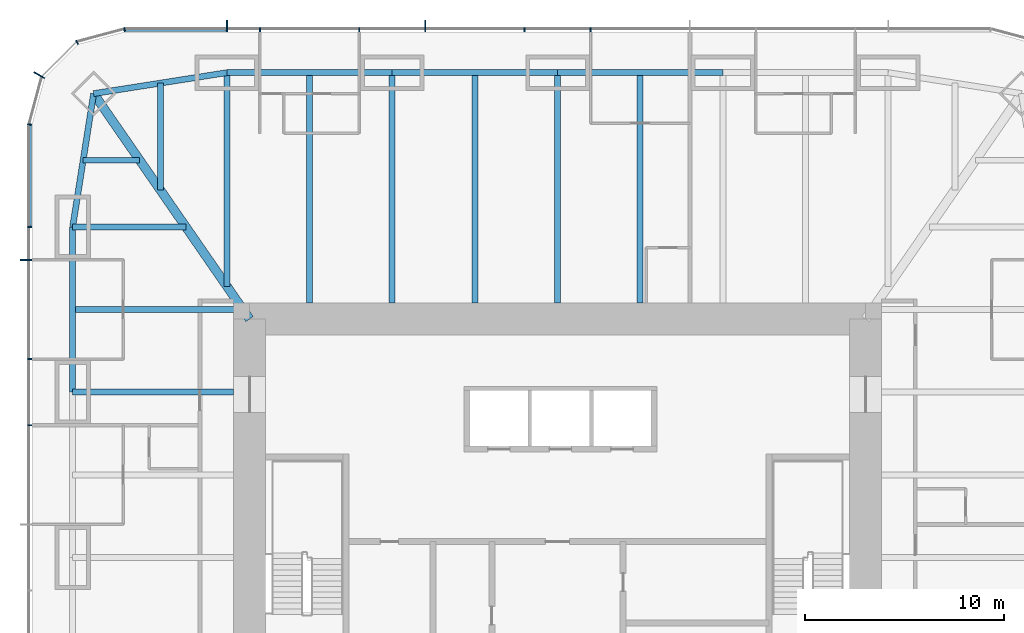
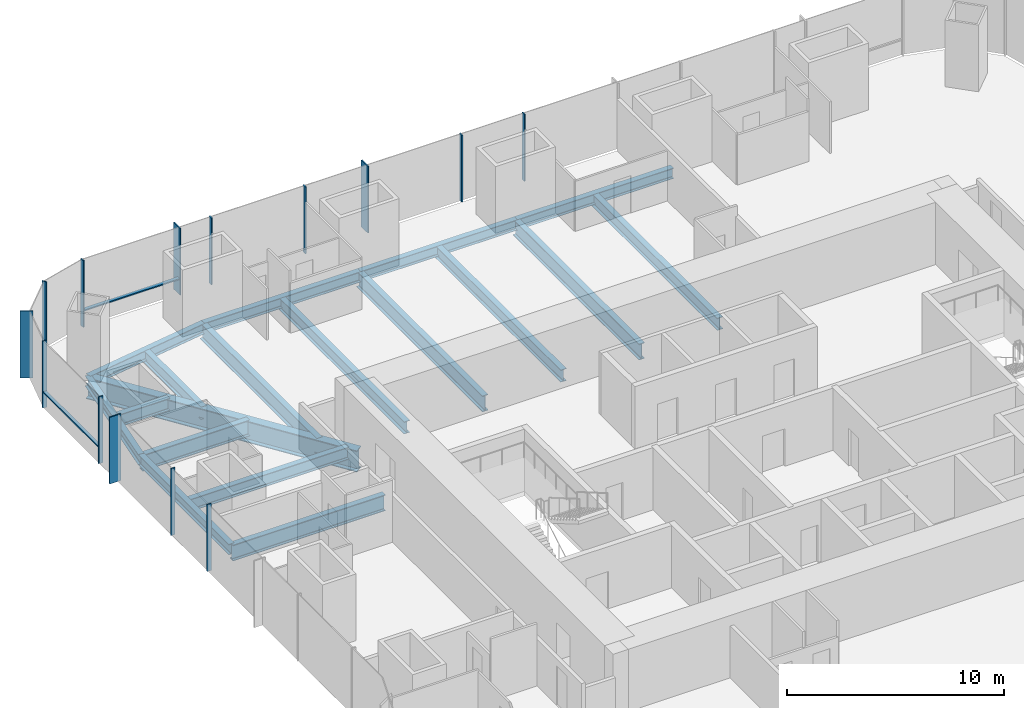
# One storey, part 5 of 12: 18 beams, 16 members, 3 elements without a shape of their own.
"""IFC4 building model written with IfcOpenShell, lengths in metres."""

from ifc_helpers import new_model, si_unit, direction, frame, origin, origin_2d, place, context, subcontext, project, spatial, rectangle, i_section, extrude, material, material_profile, profile_set, type_object, element, aggregate, save


model = new_model("IFC4")

# Units and contexts
model_context = context("Model", 3, precision=1e-05, world=origin(), true_north=direction((0.0, 1.0)))
body_context = subcontext(model_context, "Body", "Model", "MODEL_VIEW")
ifc_project = project(units=[si_unit("LENGTHUNIT", "METRE"), si_unit("AREAUNIT", "SQUARE_METRE"), si_unit("VOLUMEUNIT", "CUBIC_METRE"), si_unit("PLANEANGLEUNIT", "RADIAN"), si_unit("MASSUNIT", "GRAM", prefix="KILO")], contexts=[model_context])

# Site, building, storey
site_placement = place(None, origin())
site = spatial("IfcSite", under=ifc_project, at=site_placement, CompositionType="ELEMENT")
building_placement = place(site_placement, origin())
building = spatial("IfcBuilding", under=site, at=building_placement, Name="Khuree Lantern Residences", CompositionType="ELEMENT")
storey_placement = place(building_placement, frame((0.0, 0.0, 207.0)))
storey = spatial("IfcBuildingStorey", under=building, at=storey_placement, Name="L51", CompositionType="ELEMENT", Elevation=207.0)

# Beams
ifc_material_1 = material(Name="Steel S355", Category="steel")
ifc_material_profile_1 = material_profile(ifc_material_1, i_section(OverallWidth=0.300048828125, OverallDepth=0.68994140625, WebThickness=0.014404296875, FlangeThickness=0.027099609375, FilletRadius=0.027099609375, at=origin_2d()), Name="HE 700 A")
ifc_profile_set_1 = profile_set([ifc_material_profile_1], Name="Steel S355")
beam_type_1 = type_object("IfcBeamType", Name="B-31 SECONDARY BEAM HE 700 A", PredefinedType="BEAM", material=ifc_profile_set_1)
for number, where, z_axis, x_axis, name in (
    (1, (-12.47998046875, 24.39990234375, -0.594970703125), (0.0, -1.0, 0.0), (1.0, 0.0, 0.0), "Secondary beam N1"),
    (2, (-4.159912109375, 24.39990234375, -0.594970703125), (0.0, -1.0, 0.0), (1.0, 0.0, 0.0), "Secondary beam N2"),
    (3, (4.159912109375, 24.39990234375, -0.594970703125), (0.0, -1.0, 0.0), (1.0, 0.0, 0.0), "Secondary beam N3"),
):
    element("IfcBeam", number, at=place(storey_placement, frame(where, z_axis=z_axis, x_axis=x_axis)), inside=storey, type_object=beam_type_1, Name=name, PredefinedType="BEAM", context=body_context, shape_type="SweptSolid", body=[
        extrude(i_section(OverallWidth=0.300048828125, OverallDepth=0.68994140625, WebThickness=0.014404296875, FlangeThickness=0.027099609375, FilletRadius=0.027099609375, at=origin_2d()), origin(), (0.0, 0.0, 1.0), 11.599853515625),
    ])
beam_1_placement = place(storey_placement, frame((-24.39990234375, 12.47998046875, -0.594970703125), z_axis=(1.0, 0.0, 0.0), x_axis=(0.0, 1.0, 0.0)))
element("IfcBeam", 4, at=beam_1_placement, inside=storey, type_object=beam_type_1, Name="Secondary beam W5", PredefinedType="BEAM", context=body_context, shape_type="SweptSolid", body=[
    extrude(i_section(OverallWidth=0.300048828125, OverallDepth=0.68994140625, WebThickness=0.014404296875, FlangeThickness=0.027099609375, FilletRadius=0.027099609375, at=origin_2d()), origin(), (0.0, 0.0, 1.0), 8.56787109375),
])
beam_2_placement = place(storey_placement, frame((-23.872802734375, 19.992919921875, -0.594970703125), z_axis=(1.0, 0.0, 0.0), x_axis=(0.0, 1.0, 0.0)))
element("IfcBeam", 5, at=beam_2_placement, inside=storey, type_object=beam_type_1, Name="Secondary beam W6", PredefinedType="BEAM", context=body_context, shape_type="SweptSolid", body=[
    extrude(i_section(OverallWidth=0.300048828125, OverallDepth=0.68994140625, WebThickness=0.014404296875, FlangeThickness=0.027099609375, FilletRadius=0.027099609375, at=origin_2d()), origin(), (0.0, 0.0, 1.0), 2.845703125),
])
beam_3_placement = place(storey_placement, frame((-19.992919921875, 23.872802734375, -0.594970703125), z_axis=(0.0, -1.0, 0.0), x_axis=(1.0, 0.0, 0.0)))
element("IfcBeam", 6, at=beam_3_placement, inside=storey, type_object=beam_type_1, Name="Secondary beam N6", PredefinedType="BEAM", context=body_context, shape_type="SweptSolid", body=[
    extrude(i_section(OverallWidth=0.300048828125, OverallDepth=0.68994140625, WebThickness=0.014404296875, FlangeThickness=0.027099609375, FilletRadius=0.027099609375, at=origin_2d()), origin(), (0.0, 0.0, 1.0), 5.375732421875),
])
ifc_material_profile_2 = material_profile(ifc_material_1, i_section(OverallWidth=0.300048828125, OverallDepth=0.590087890625, WebThickness=0.012939453125, FlangeThickness=0.02490234375, FilletRadius=0.027099609375, at=origin_2d()), Name="HE 600 A")
ifc_profile_set_2 = profile_set([ifc_material_profile_2], Name="Steel S355")
beam_type_2 = type_object("IfcBeamType", Name="E-31 SPANDREL BEAM HE 600 A", PredefinedType="SPANDREL", material=ifc_profile_set_2)
beam_4_placement = place(storey_placement, frame((-16.639892578125, 24.39990234375, -0.544921875), z_axis=(1.0, 0.0, 0.0), x_axis=(0.0, 1.0, 0.0)))
element("IfcBeam", 7, at=beam_4_placement, inside=storey, type_object=beam_type_2, Name="Spandrel beam N1", PredefinedType="SPANDREL", context=body_context, shape_type="SweptSolid", body=[
    extrude(i_section(OverallWidth=0.300048828125, OverallDepth=0.590087890625, WebThickness=0.012939453125, FlangeThickness=0.02490234375, FilletRadius=0.027099609375, at=origin_2d()), origin(), (0.0, 0.0, 1.0), 8.31982421875),
])
for number, where, z_axis, x_axis, name in (
    (8, (-8.320068359375, 24.39990234375, -0.544921875), (1.0, 0.0, 0.0), (0.0, 1.0, 0.0), "Spandrel beam N2"),
    (9, (0.0, 24.39990234375, -0.544921875), (1.0, 0.0, 0.0), (0.0, 1.0, 0.0), "Spandrel beam N3"),
):
    element("IfcBeam", number, at=place(storey_placement, frame(where, z_axis=z_axis, x_axis=x_axis)), inside=storey, type_object=beam_type_2, Name=name, PredefinedType="SPANDREL", context=body_context, shape_type="SweptSolid", body=[
        extrude(i_section(OverallWidth=0.300048828125, OverallDepth=0.590087890625, WebThickness=0.012939453125, FlangeThickness=0.02490234375, FilletRadius=0.027099609375, at=origin_2d()), origin(), (0.0, 0.0, 1.0), 8.320068359375),
    ])
beam_5_placement = place(storey_placement, frame((-24.39990234375, 8.320068359375, -0.544921875), z_axis=(0.0, 1.0, 0.0), x_axis=(-1.0, 0.0, 0.0)))
element("IfcBeam", 10, at=beam_5_placement, inside=storey, type_object=beam_type_2, Name="Spandrel beam W5", PredefinedType="SPANDREL", context=body_context, shape_type="SweptSolid", body=[
    extrude(i_section(OverallWidth=0.300048828125, OverallDepth=0.590087890625, WebThickness=0.012939453125, FlangeThickness=0.02490234375, FilletRadius=0.027099609375, at=origin_2d()), origin(), (0.0, 0.0, 1.0), 8.31982421875),
])
for number, where, z_axis, x_axis, name in (
    (11, (-24.39990234375, 16.639892578125, -0.544921875), (0.155299507442, 0.98786743189, 0.0), (-0.98786743189, 0.155299507442, 0.0), "Spandrel beam W6"),
    (12, (-23.345703125, 23.345703125, -0.544921875), (0.98786743189, 0.155299507442, 0.0), (-0.155299507442, 0.98786743189, 0.0), "Spandrel beam N6"),
):
    element("IfcBeam", number, at=place(storey_placement, frame(where, z_axis=z_axis, x_axis=x_axis)), inside=storey, type_object=beam_type_2, Name=name, PredefinedType="SPANDREL", context=body_context, shape_type="SweptSolid", body=[
        extrude(i_section(OverallWidth=0.300048828125, OverallDepth=0.590087890625, WebThickness=0.012939453125, FlangeThickness=0.02490234375, FilletRadius=0.027099609375, at=origin_2d()), origin(), (0.0, 0.0, 1.0), 6.7880859375),
    ])

# Curtain wall, members
ifc_material_2 = material(Name="Bronze anodised aluminium", Category="aluminium")
curtain_wall_type_1 = type_object("IfcCurtainWallType", Name="CW-T1 TOWER FACE CURTAIN WALL", PredefinedType="USERDEFINED", material=ifc_material_2)
curtain_wall_1_placement = place(storey_placement, origin())
curtain_wall_1 = element("IfcCurtainWall", 13, at=curtain_wall_1_placement, inside=storey, type_object=curtain_wall_type_1, Name="L51 NORTH FACE CURTAIN WALL", ObjectType="Stick-built curtain wall", PredefinedType="USERDEFINED")
ifc_material_profile_3 = material_profile(ifc_material_2, rectangle(XDim=0.06494140625, YDim=0.60009765625, at=origin_2d()), Name="F1 65X600")
ifc_profile_set_3 = profile_set([ifc_material_profile_3], Name="Bronze anodised aluminium")
member_type_1 = type_object("IfcMemberType", Name="F1 BRONZE FIN MULLION TOWER 65X600", PredefinedType="MULLION", material=ifc_profile_set_3)
member_1_placement = place(storey_placement, frame((-6.656005859375, 26.75, 0.0), z_axis=(0.0, 0.0, 1.0), x_axis=(-1.0, 0.0, 0.0)))
member_1 = element("IfcMember", 14, at=member_1_placement, type_object=member_type_1, Name="L51 NORTH FACE FIN MULLION 25", PredefinedType="MULLION", context=body_context, shape_type="SweptSolid", body=[
    extrude(rectangle(XDim=0.06494140625, YDim=0.60009765625, at=origin_2d()), origin(), (0.0, 0.0, 1.0), 3.75),
])
member_2_placement = place(storey_placement, frame((-16.639892578125, 26.75, 0.0), z_axis=(0.0, 0.0, 1.0), x_axis=(-1.0, 0.0, 0.0)))
member_2 = element("IfcMember", 15, at=member_2_placement, type_object=member_type_1, Name="L51 NORTH FACE FIN MULLION 28", PredefinedType="MULLION", context=body_context, shape_type="SweptSolid", body=[
    extrude(rectangle(XDim=0.06494140625, YDim=0.60009765625, at=origin_2d()), origin(), (0.0, 0.0, 1.0), 3.75),
])

# Curtain wall, member
curtain_wall_type_2 = type_object("IfcCurtainWallType", Name="CW-T2 TOWER CORNER CURTAIN WALL", PredefinedType="USERDEFINED", material=ifc_material_2)
curtain_wall_2_placement = place(storey_placement, origin())
curtain_wall_2 = element("IfcCurtainWall", 16, at=curtain_wall_2_placement, inside=storey, type_object=curtain_wall_type_2, Name="L51 NORTH-WEST CORNER CURTAIN WALL", ObjectType="Faceted corner curtain wall", PredefinedType="USERDEFINED")
member_3_placement = place(storey_placement, frame((-26.0869140625, 24.27490234375, 0.0), z_axis=(0.0, 0.0, 1.0), x_axis=(-0.499999989586, -0.866025409797, 0.0)))
member_3 = element("IfcMember", 17, at=member_3_placement, type_object=member_type_1, Name="L51 NORTH-WEST CORNER FIN MULLION 31", PredefinedType="MULLION", context=body_context, shape_type="SweptSolid", body=[
    extrude(rectangle(XDim=0.06494140625, YDim=0.60009765625, at=origin_2d()), origin(), (0.0, 0.0, 1.0), 3.75),
])

curtain_wall_3_placement = place(storey_placement, origin())
curtain_wall_3 = element("IfcCurtainWall", 18, at=curtain_wall_3_placement, inside=storey, type_object=curtain_wall_type_1, Name="L51 WEST FACE CURTAIN WALL", ObjectType="Stick-built curtain wall", PredefinedType="USERDEFINED")
member_4_placement = place(storey_placement, frame((-26.75, 14.97607421875, 0.0), z_axis=(0.0, 0.0, 1.0), x_axis=(0.0, -1.0, 0.0)))
member_4 = element("IfcMember", 19, at=member_4_placement, type_object=member_type_1, Name="L51 WEST FACE FIN MULLION 34", PredefinedType="MULLION", context=body_context, shape_type="SweptSolid", body=[
    extrude(rectangle(XDim=0.06494140625, YDim=0.60009765625, at=origin_2d()), origin(), (0.0, 0.0, 1.0), 3.75),
])

# Beams
ifc_material_profile_4 = material_profile(ifc_material_1, i_section(OverallWidth=0.300048828125, OverallDepth=0.89990234375, WebThickness=0.0185546875, FlangeThickness=0.034912109375, FilletRadius=0.030029296875, at=origin_2d()), Name="HE 900 B")
ifc_profile_set_4 = profile_set([ifc_material_profile_4], Name="Steel S355")
beam_type_3 = type_object("IfcBeamType", Name="G-31A GIRDER HE 900 B", PredefinedType="BEAM", material=ifc_profile_set_4)
beam_6_placement = place(storey_placement, frame((-16.639892578125, 24.39990234375, -0.699951171875), z_axis=(0.0, -1.0, 0.0), x_axis=(1.0, 0.0, 0.0)))
element("IfcBeam", 20, at=beam_6_placement, inside=storey, type_object=beam_type_3, Name="Girder N1", PredefinedType="BEAM", context=body_context, shape_type="SweptSolid", body=[
    extrude(i_section(OverallWidth=0.300048828125, OverallDepth=0.89990234375, WebThickness=0.0185546875, FlangeThickness=0.034912109375, FilletRadius=0.030029296875, at=origin_2d()), origin(), (0.0, 0.0, 1.0), 10.751220703125),
])
for number, where, z_axis, x_axis, name in (
    (21, (-8.320068359375, 24.39990234375, -0.699951171875), (0.0, -1.0, 0.0), (1.0, 0.0, 0.0), "Girder N2"),
    (22, (0.0, 24.39990234375, -0.699951171875), (0.0, -1.0, 0.0), (1.0, 0.0, 0.0), "Girder N3"),
):
    element("IfcBeam", number, at=place(storey_placement, frame(where, z_axis=z_axis, x_axis=x_axis)), inside=storey, type_object=beam_type_3, Name=name, PredefinedType="BEAM", context=body_context, shape_type="SweptSolid", body=[
        extrude(i_section(OverallWidth=0.300048828125, OverallDepth=0.89990234375, WebThickness=0.0185546875, FlangeThickness=0.034912109375, FilletRadius=0.030029296875, at=origin_2d()), origin(), (0.0, 0.0, 1.0), 11.599853515625),
    ])
beam_7_placement = place(storey_placement, frame((-24.39990234375, 8.320068359375, -0.699951171875), z_axis=(1.0, 0.0, 0.0), x_axis=(0.0, 1.0, 0.0)))
element("IfcBeam", 23, at=beam_7_placement, inside=storey, type_object=beam_type_3, Name="Girder W4", PredefinedType="BEAM", context=body_context, shape_type="SweptSolid", body=[
    extrude(i_section(OverallWidth=0.300048828125, OverallDepth=0.89990234375, WebThickness=0.0185546875, FlangeThickness=0.034912109375, FilletRadius=0.030029296875, at=origin_2d()), origin(), (0.0, 0.0, 1.0), 8.099853515625),
])
beam_8_placement = place(storey_placement, frame((-24.39990234375, 16.639892578125, -0.699951171875), z_axis=(1.0, 0.0, 0.0), x_axis=(0.0, 1.0, 0.0)))
element("IfcBeam", 24, at=beam_8_placement, inside=storey, type_object=beam_type_3, Name="Girder W5", PredefinedType="BEAM", context=body_context, shape_type="SweptSolid", body=[
    extrude(i_section(OverallWidth=0.300048828125, OverallDepth=0.89990234375, WebThickness=0.0185546875, FlangeThickness=0.034912109375, FilletRadius=0.030029296875, at=origin_2d()), origin(), (0.0, 0.0, 1.0), 5.69140625),
])
ifc_material_profile_5 = material_profile(ifc_material_1, i_section(OverallWidth=0.449951171875, OverallDepth=1.199951171875, WebThickness=0.02490234375, FlangeThickness=0.044921875, at=origin_2d()), Name="WELDED I 1200X450X25X45")
ifc_profile_set_5 = profile_set([ifc_material_profile_5], Name="Steel S355")
beam_type_4 = type_object("IfcBeamType", Name="GD-31 CORNER GIRDER WELDED I 1200X450X25X45", PredefinedType="BEAM", material=ifc_profile_set_5)
beam_9_placement = place(storey_placement, frame((-23.345703125, 23.345703125, -0.85009765625), z_axis=(0.56876813501, -0.822497907959, 0.0), x_axis=(0.822497907959, 0.56876813501, 0.0)))
element("IfcBeam", 25, at=beam_9_placement, inside=storey, type_object=beam_type_4, Name="Corner girder NW", PredefinedType="BEAM", context=body_context, shape_type="SweptSolid", body=[
    extrude(i_section(OverallWidth=0.449951171875, OverallDepth=1.199951171875, WebThickness=0.02490234375, FlangeThickness=0.044921875, at=origin_2d()), origin(), (0.0, 0.0, 1.0), 13.794189453125),
])

# Member
ifc_material_profile_6 = material_profile(ifc_material_2, rectangle(XDim=0.06494140625, YDim=0.219970703125, at=origin_2d()), Name="M1 65X220")
ifc_profile_set_6 = profile_set([ifc_material_profile_6], Name="Bronze anodised aluminium")
member_type_2 = type_object("IfcMemberType", Name="M1 BRONZE MULLION TOWER 65X220", PredefinedType="MULLION", material=ifc_profile_set_6)
member_5_placement = place(storey_placement, frame((1.6640625, 26.56005859375, 0.0), z_axis=(0.0, 0.0, 1.0), x_axis=(-1.0, 0.0, 0.0)))
member_5 = element("IfcMember", 26, at=member_5_placement, type_object=member_type_2, Name="L51 NORTH FACE MULLION 23", PredefinedType="MULLION", context=body_context, shape_type="SweptSolid", body=[
    extrude(rectangle(XDim=0.06494140625, YDim=0.219970703125, at=origin_2d()), origin(), (0.0, 0.0, 1.0), 3.75),
])

member_6_placement = place(storey_placement, frame((-1.6640625, 26.56005859375, 0.0), z_axis=(0.0, 0.0, 1.0), x_axis=(-1.0, 0.0, 0.0)))
member_6 = element("IfcMember", 27, at=member_6_placement, type_object=member_type_2, Name="L51 NORTH FACE MULLION 24", PredefinedType="MULLION", context=body_context, shape_type="SweptSolid", body=[
    extrude(rectangle(XDim=0.06494140625, YDim=0.219970703125, at=origin_2d()), origin(), (0.0, 0.0, 1.0), 3.75),
])

member_7_placement = place(storey_placement, frame((-9.98388671875, 26.56005859375, 0.0), z_axis=(0.0, 0.0, 1.0), x_axis=(-1.0, 0.0, 0.0)))
member_7 = element("IfcMember", 28, at=member_7_placement, type_object=member_type_2, Name="L51 NORTH FACE MULLION 26", PredefinedType="MULLION", context=body_context, shape_type="SweptSolid", body=[
    extrude(rectangle(XDim=0.06494140625, YDim=0.219970703125, at=origin_2d()), origin(), (0.0, 0.0, 1.0), 3.75),
])

member_8_placement = place(storey_placement, frame((-14.97607421875, 26.56005859375, 0.0), z_axis=(0.0, 0.0, 1.0), x_axis=(-1.0, 0.0, 0.0)))
member_8 = element("IfcMember", 29, at=member_8_placement, type_object=member_type_2, Name="L51 NORTH FACE MULLION 27", PredefinedType="MULLION", context=body_context, shape_type="SweptSolid", body=[
    extrude(rectangle(XDim=0.06494140625, YDim=0.219970703125, at=origin_2d()), origin(), (0.0, 0.0, 1.0), 3.75),
])

member_9_placement = place(storey_placement, frame((-21.794921875, 26.561767578125, 0.0), z_axis=(0.0, 0.0, 1.0), x_axis=(-0.991444862943, -0.130526180298, 0.0)))
member_9 = element("IfcMember", 30, at=member_9_placement, type_object=member_type_2, Name="L51 NORTH-WEST CORNER MULLION 29", PredefinedType="MULLION", context=body_context, shape_type="SweptSolid", body=[
    extrude(rectangle(XDim=0.06494140625, YDim=0.219970703125, at=origin_2d()), origin(), (0.0, 0.0, 1.0), 3.75),
])

member_10_placement = place(storey_placement, frame((-24.179931640625, 25.92236328125, 0.0), z_axis=(0.0, 0.0, 1.0), x_axis=(-0.866025409797, -0.499999989586, 0.0)))
member_10 = element("IfcMember", 31, at=member_10_placement, type_object=member_type_2, Name="L51 NORTH-WEST CORNER MULLION 30", PredefinedType="MULLION", context=body_context, shape_type="SweptSolid", body=[
    extrude(rectangle(XDim=0.06494140625, YDim=0.219970703125, at=origin_2d()), origin(), (0.0, 0.0, 1.0), 3.75),
])

aggregate(curtain_wall_2, [member_9, member_10, member_3])

member_11_placement = place(storey_placement, frame((-26.561767578125, 21.794921875, 0.0), z_axis=(0.0, 0.0, 1.0), x_axis=(-0.130526180298, -0.991444862943, 0.0)))
member_11 = element("IfcMember", 32, at=member_11_placement, type_object=member_type_2, Name="L51 WEST FACE MULLION 32", PredefinedType="MULLION", context=body_context, shape_type="SweptSolid", body=[
    extrude(rectangle(XDim=0.06494140625, YDim=0.219970703125, at=origin_2d()), origin(), (0.0, 0.0, 1.0), 3.75),
])

member_12_placement = place(storey_placement, frame((-26.56005859375, 16.639892578125, 0.0), z_axis=(0.0, 0.0, 1.0), x_axis=(0.0, -1.0, 0.0)))
member_12 = element("IfcMember", 33, at=member_12_placement, type_object=member_type_2, Name="L51 WEST FACE MULLION 33", PredefinedType="MULLION", context=body_context, shape_type="SweptSolid", body=[
    extrude(rectangle(XDim=0.06494140625, YDim=0.219970703125, at=origin_2d()), origin(), (0.0, 0.0, 1.0), 3.75),
])

member_13_placement = place(storey_placement, frame((-26.56005859375, 9.98388671875, 0.0), z_axis=(0.0, 0.0, 1.0), x_axis=(0.0, -1.0, 0.0)))
member_13 = element("IfcMember", 34, at=member_13_placement, type_object=member_type_2, Name="L51 WEST FACE MULLION 35", PredefinedType="MULLION", context=body_context, shape_type="SweptSolid", body=[
    extrude(rectangle(XDim=0.06494140625, YDim=0.219970703125, at=origin_2d()), origin(), (0.0, 0.0, 1.0), 3.75),
])

member_14_placement = place(storey_placement, frame((-26.56005859375, 6.656005859375, 0.0), z_axis=(0.0, 0.0, 1.0), x_axis=(0.0, -1.0, 0.0)))
member_14 = element("IfcMember", 35, at=member_14_placement, type_object=member_type_2, Name="L51 WEST FACE MULLION 36", PredefinedType="MULLION", context=body_context, shape_type="SweptSolid", body=[
    extrude(rectangle(XDim=0.06494140625, YDim=0.219970703125, at=origin_2d()), origin(), (0.0, 0.0, 1.0), 3.75),
])

ifc_material_profile_7 = material_profile(ifc_material_2, rectangle(XDim=0.179931640625, YDim=0.06494140625, at=origin_2d()), Name="T1 180X65")
ifc_profile_set_7 = profile_set([ifc_material_profile_7], Name="Bronze anodised aluminium")
member_type_3 = type_object("IfcMemberType", Name="TRANSOM T1 TOWER 180X65", PredefinedType="USERDEFINED", material=ifc_profile_set_7)
member_15_placement = place(storey_placement, frame((-16.672607421875, 26.570068359375, 0.89990234375), z_axis=(-1.0, 0.0, 0.0), x_axis=(0.0, -1.0, 0.0)))
member_15 = element("IfcMember", 36, at=member_15_placement, type_object=member_type_3, Name="L51 NORTH FACE TRANSOM 28.1", ObjectType="Transom", PredefinedType="USERDEFINED", context=body_context, shape_type="SweptSolid", body=[
    extrude(rectangle(XDim=0.179931640625, YDim=0.06494140625, at=origin_2d()), origin(), (0.0, 0.0, 1.0), 5.078857421875),
])

aggregate(curtain_wall_1, [member_5, member_6, member_1, member_7, member_8, member_2, member_15])

member_16_placement = place(storey_placement, frame((-26.570068359375, 21.75146484375, 0.89990234375), z_axis=(0.0, -1.0, 0.0), x_axis=(1.0, 0.0, 0.0)))
member_16 = element("IfcMember", 37, at=member_16_placement, type_object=member_type_3, Name="L51 WEST FACE TRANSOM 32.1", ObjectType="Transom", PredefinedType="USERDEFINED", context=body_context, shape_type="SweptSolid", body=[
    extrude(rectangle(XDim=0.179931640625, YDim=0.06494140625, at=origin_2d()), origin(), (0.0, 0.0, 1.0), 5.078857421875),
])

aggregate(curtain_wall_3, [member_11, member_12, member_4, member_13, member_14, member_16])

save(model, "model.ifc")
